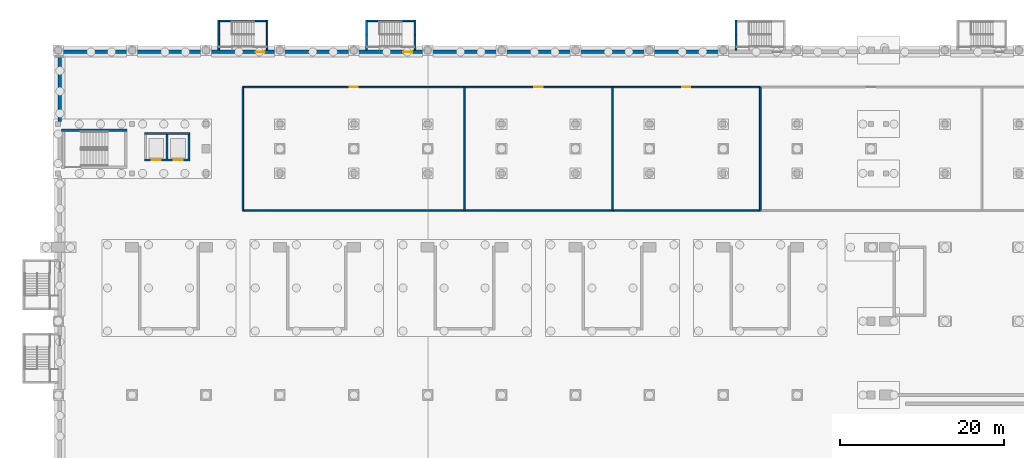
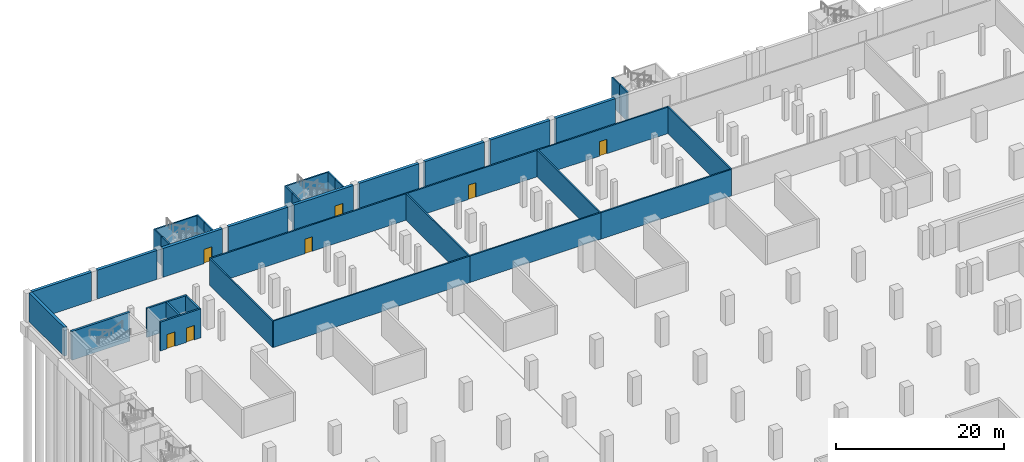
# One storey, part 13 of 29: 37 walls, 7 doors, 7 openings.
"""IFC4 building model written with IfcOpenShell, lengths in metres."""

from ifc_helpers import new_model, si_unit, direction, frame, frame_2d, origin, place, context, subcontext, project, spatial, rectangle, extrude, material, layer, layer_set, type_object, element, fill, save


model = new_model("IFC4")

# Units and contexts
model_context = context("Model", 3, precision=1e-05, world=origin(), true_north=direction((0.0, 1.0)))
body_context = subcontext(model_context, "Body", "Model", "MODEL_VIEW")
ifc_project = project(units=[si_unit("LENGTHUNIT", "METRE"), si_unit("AREAUNIT", "SQUARE_METRE"), si_unit("VOLUMEUNIT", "CUBIC_METRE"), si_unit("PLANEANGLEUNIT", "RADIAN"), si_unit("MASSUNIT", "GRAM", prefix="KILO")], contexts=[model_context])

# Site, building, storey
site_placement = place(None, origin())
site = spatial("IfcSite", under=ifc_project, at=site_placement, CompositionType="ELEMENT")
building_placement = place(site_placement, origin())
building = spatial("IfcBuilding", under=site, at=building_placement, Name="Aravalli Gate Trade Fair Centre", CompositionType="ELEMENT")
storey_placement = place(building_placement, frame((0.0, 0.0, -8.39990234375)))
storey = spatial("IfcBuildingStorey", under=building, at=storey_placement, Name="B2", CompositionType="ELEMENT", Elevation=-8.39990234375)

# Walls
ifc_material_1 = material(Name="Concrete M30", Category="concrete")
ifc_layer_1 = layer(ifc_material_1, 0.199951171875)
ifc_layer_set_1 = layer_set([ifc_layer_1], Name="Concrete M30")
wall_type_1 = type_object("IfcWallType", Name="Basement plant room wall 200", PredefinedType="SOLIDWALL", material=ifc_layer_set_1)
wall_1_placement = place(storey_placement, frame((28.5, 113.5, 0.0), z_axis=(0.0, 0.0, 1.0), x_axis=(1.0, 0.0, 0.0)))
element("IfcWall", 1, at=wall_1_placement, inside=storey, type_object=wall_type_1, Name="Basement plant room wall B2 01.1", PredefinedType="SOLIDWALL", context=body_context, shape_type="SweptSolid", body=[
    extrude(rectangle(XDim=27.0, YDim=0.199951171875, at=frame_2d((13.5, 0.0))), origin(), (0.0, 0.0, 1.0), 3.849853515625),
])
for number, where, z_axis, x_axis, name in (
    (2, (55.5, 113.5, 0.0), (0.0, 0.0, 1.0), (1.0, 0.0, 0.0), "Basement plant room wall B2 02.1"),
    (3, (73.5, 113.5, 0.0), (0.0, 0.0, 1.0), (1.0, 0.0, 0.0), "Basement plant room wall B2 03.1"),
):
    element("IfcWall", number, at=place(storey_placement, frame(where, z_axis=z_axis, x_axis=x_axis)), inside=storey, type_object=wall_type_1, Name=name, PredefinedType="SOLIDWALL", context=body_context, shape_type="SweptSolid", body=[
        extrude(rectangle(XDim=18.0, YDim=0.199951171875, at=frame_2d((9.0, 0.0))), origin(), (0.0, 0.0, 1.0), 3.849853515625),
    ])

# Wall, opening, door
wall_2_placement = place(storey_placement, frame((28.5, 128.5, 0.0), z_axis=(0.0, 0.0, 1.0), x_axis=(1.0, 0.0, 0.0)))
wall_2 = element("IfcWall", 4, at=wall_2_placement, inside=storey, type_object=wall_type_1, Name="Basement plant room wall B2 06.1", PredefinedType="SOLIDWALL", context=body_context, shape_type="SweptSolid", body=[
    extrude(rectangle(XDim=27.0, YDim=0.199951171875, at=frame_2d((13.5, 0.0))), origin(), (0.0, 0.0, 1.0), 3.849853515625),
])
opening_1_placement = place(wall_2_placement, frame((13.0, 0.0, 0.0)))
opening_1 = element("IfcOpeningElement", 5, at=opening_1_placement, cuts=wall_2, Name="Opening B-B2-14", PredefinedType="OPENING", context=body_context, shape_type="SweptSolid", body=[
    extrude(rectangle(XDim=1.0, YDim=2.10009765625, at=frame_2d((0.5, 1.050048828125))), frame((0.0, 0.10986328125, 0.0), z_axis=(0.0, -1.0, 0.0), x_axis=(1.0, 0.0, 0.0)), (0.0, 0.0, 1.0), 0.219970703125),
])
ifc_material_2 = material(Name="Steel", Category="steel")
door_type_1 = type_object("IfcDoorType", Name="Basement plant door 1000x2100", OperationType="SINGLE_SWING_LEFT", PredefinedType="DOOR", material=ifc_material_2)
door_1_placement = place(opening_1_placement, frame((1.0, 0.0, 0.0), z_axis=(0.0, 0.0, 1.0), x_axis=(-1.0, 0.0, 0.0)))
door_1 = element("IfcDoor", 6, at=door_1_placement, inside=storey, type_object=door_type_1, Name="Door fwt B2", OperationType="SINGLE_SWING_LEFT", OverallHeight=2.10009765625, OverallWidth=1.0, PredefinedType="DOOR", context=body_context, shape_type="SweptSolid", body=[
    extrude(rectangle(XDim=1.0, YDim=2.10009765625, at=frame_2d((0.5, 1.050048828125))), frame((0.0, 0.02490234375, 0.0), z_axis=(0.0, -1.0, 0.0), x_axis=(1.0, 0.0, 0.0)), (0.0, 0.0, 1.0), 0.050048828125),
])
fill(opening_1, door_1)

wall_3_placement = place(storey_placement, frame((55.5, 128.5, 0.0), z_axis=(0.0, 0.0, 1.0), x_axis=(1.0, 0.0, 0.0)))
wall_3 = element("IfcWall", 7, at=wall_3_placement, inside=storey, type_object=wall_type_1, Name="Basement plant room wall B2 07.1", PredefinedType="SOLIDWALL", context=body_context, shape_type="SweptSolid", body=[
    extrude(rectangle(XDim=18.0, YDim=0.199951171875, at=frame_2d((9.0, 0.0))), origin(), (0.0, 0.0, 1.0), 3.849853515625),
])
opening_2_placement = place(wall_3_placement, frame((8.5, 0.0, 0.0)))
opening_2 = element("IfcOpeningElement", 8, at=opening_2_placement, cuts=wall_3, Name="Opening B-B2-15", PredefinedType="OPENING", context=body_context, shape_type="SweptSolid", body=[
    extrude(rectangle(XDim=1.0, YDim=2.10009765625, at=frame_2d((0.5, 1.050048828125))), frame((0.0, 0.10986328125, 0.0), z_axis=(0.0, -1.0, 0.0), x_axis=(1.0, 0.0, 0.0)), (0.0, 0.0, 1.0), 0.219970703125),
])
door_2_placement = place(opening_2_placement, frame((1.0, 0.0, 0.0), z_axis=(0.0, 0.0, 1.0), x_axis=(-1.0, 0.0, 0.0)))
door_2 = element("IfcDoor", 9, at=door_2_placement, inside=storey, type_object=door_type_1, Name="Door hv B2", OperationType="SINGLE_SWING_LEFT", OverallHeight=2.10009765625, OverallWidth=1.0, PredefinedType="DOOR", context=body_context, shape_type="SweptSolid", body=[
    extrude(rectangle(XDim=1.0, YDim=2.10009765625, at=frame_2d((0.5, 1.050048828125))), frame((0.0, 0.02490234375, 0.0), z_axis=(0.0, -1.0, 0.0), x_axis=(1.0, 0.0, 0.0)), (0.0, 0.0, 1.0), 0.050048828125),
])
fill(opening_2, door_2)

wall_4_placement = place(storey_placement, frame((73.5, 128.5, 0.0), z_axis=(0.0, 0.0, 1.0), x_axis=(1.0, 0.0, 0.0)))
wall_4 = element("IfcWall", 10, at=wall_4_placement, inside=storey, type_object=wall_type_1, Name="Basement plant room wall B2 08.1", PredefinedType="SOLIDWALL", context=body_context, shape_type="SweptSolid", body=[
    extrude(rectangle(XDim=18.0, YDim=0.199951171875, at=frame_2d((9.0, 0.0))), origin(), (0.0, 0.0, 1.0), 3.849853515625),
])
opening_3_placement = place(wall_4_placement, frame((8.5, 0.0, 0.0)))
opening_3 = element("IfcOpeningElement", 11, at=opening_3_placement, cuts=wall_4, Name="Opening B-B2-16", PredefinedType="OPENING", context=body_context, shape_type="SweptSolid", body=[
    extrude(rectangle(XDim=1.0, YDim=2.10009765625, at=frame_2d((0.5, 1.050048828125))), frame((0.0, 0.10986328125, 0.0), z_axis=(0.0, -1.0, 0.0), x_axis=(1.0, 0.0, 0.0)), (0.0, 0.0, 1.0), 0.219970703125),
])
door_3_placement = place(opening_3_placement, frame((1.0, 0.0, 0.0), z_axis=(0.0, 0.0, 1.0), x_axis=(-1.0, 0.0, 0.0)))
door_3 = element("IfcDoor", 12, at=door_3_placement, inside=storey, type_object=door_type_1, Name="Door gen B2", OperationType="SINGLE_SWING_RIGHT", OverallHeight=2.10009765625, OverallWidth=1.0, PredefinedType="DOOR", context=body_context, shape_type="SweptSolid", body=[
    extrude(rectangle(XDim=1.0, YDim=2.10009765625, at=frame_2d((0.5, 1.050048828125))), frame((0.0, 0.02490234375, 0.0), z_axis=(0.0, -1.0, 0.0), x_axis=(1.0, 0.0, 0.0)), (0.0, 0.0, 1.0), 0.050048828125),
])
fill(opening_3, door_3)

# Walls
for number, where, z_axis, x_axis, name in (
    (13, (28.5, 113.5, 0.0), (0.0, 0.0, 1.0), (0.0, 1.0, 0.0), "Basement plant room wall B2 11.1"),
    (14, (55.5, 113.5, 0.0), (0.0, 0.0, 1.0), (0.0, 1.0, 0.0), "Basement plant room wall B2 12.1"),
    (15, (73.5, 113.5, 0.0), (0.0, 0.0, 1.0), (0.0, 1.0, 0.0), "Basement plant room wall B2 13.1"),
    (16, (91.5, 113.5, 0.0), (0.0, 0.0, 1.0), (0.0, 1.0, 0.0), "Basement plant room wall B2 14.1"),
):
    element("IfcWall", number, at=place(storey_placement, frame(where, z_axis=z_axis, x_axis=x_axis)), inside=storey, type_object=wall_type_1, Name=name, PredefinedType="SOLIDWALL", context=body_context, shape_type="SweptSolid", body=[
        extrude(rectangle(XDim=15.0, YDim=0.199951171875, at=frame_2d((7.5, 0.0))), origin(), (0.0, 0.0, 1.0), 3.849853515625),
    ])
ifc_material_3 = material(Name="Concrete M40", Category="concrete")
ifc_layer_2 = layer(ifc_material_3, 0.39990234375)
ifc_layer_set_2 = layer_set([ifc_layer_2], Name="Concrete M40")
wall_type_2 = type_object("IfcWallType", Name="Basement retaining wall 400", PredefinedType="SOLIDWALL", material=ifc_layer_set_2)
for number, where, z_axis, x_axis, name in (
    (17, (6.39990234375, 132.800048828125, 0.0), (0.0, 0.0, 1.0), (1.0, 0.0, 0.0), "Retaining wall N01 B2"),
    (18, (15.39990234375, 132.800048828125, 0.0), (0.0, 0.0, 1.0), (1.0, 0.0, 0.0), "Retaining wall N02 B2"),
):
    element("IfcWall", number, at=place(storey_placement, frame(where, z_axis=z_axis, x_axis=x_axis)), inside=storey, type_object=wall_type_2, Name=name, PredefinedType="SOLIDWALL", context=body_context, shape_type="SweptSolid", body=[
        extrude(rectangle(XDim=8.2001953125, YDim=0.39990234375, at=frame_2d((4.10009765625, 0.0))), origin(), (0.0, 0.0, 1.0), 4.199951171875),
    ])

# Wall, opening, door
wall_5_placement = place(storey_placement, frame((24.39990234375, 132.800048828125, 0.0), z_axis=(0.0, 0.0, 1.0), x_axis=(1.0, 0.0, 0.0)))
wall_5 = element("IfcWall", 19, at=wall_5_placement, inside=storey, type_object=wall_type_2, Name="Retaining wall N03 B2", PredefinedType="SOLIDWALL", context=body_context, shape_type="SweptSolid", body=[
    extrude(rectangle(XDim=8.2001953125, YDim=0.39990234375, at=frame_2d((4.10009765625, 0.0))), origin(), (0.0, 0.0, 1.0), 4.199951171875),
])
opening_4_placement = place(wall_5_placement, frame((5.64990234375, 0.0, 0.0)))
opening_4 = element("IfcOpeningElement", 20, at=opening_4_placement, cuts=wall_5, Name="Opening B-B2-03", PredefinedType="OPENING", context=body_context, shape_type="SweptSolid", body=[
    extrude(rectangle(XDim=1.10009765625, YDim=2.10009765625, at=frame_2d((0.550048828125, 1.050048828125))), frame((0.0, 0.2099609375, 0.0), z_axis=(0.0, -1.0, 0.0), x_axis=(1.0, 0.0, 0.0)), (0.0, 0.0, 1.0), 0.419921875),
])
door_type_2 = type_object("IfcDoorType", Name="Basement stair door 1100x2100", OperationType="SINGLE_SWING_LEFT", PredefinedType="DOOR", material=ifc_material_2)
door_4_placement = place(opening_4_placement, origin())
door_4 = element("IfcDoor", 21, at=door_4_placement, inside=storey, type_object=door_type_2, Name="Basement stair N1 door B2", OperationType="SINGLE_SWING_RIGHT", OverallHeight=2.10009765625, OverallWidth=1.10009765625, PredefinedType="DOOR", context=body_context, shape_type="SweptSolid", body=[
    extrude(rectangle(XDim=1.10009765625, YDim=2.10009765625, at=frame_2d((0.550048828125, 1.050048828125))), frame((0.0, 0.02490234375, 0.0), z_axis=(0.0, -1.0, 0.0), x_axis=(1.0, 0.0, 0.0)), (0.0, 0.0, 1.0), 0.050048828125),
])
fill(opening_4, door_4)

# Wall
wall_6_placement = place(storey_placement, frame((33.39990234375, 132.800048828125, 0.0), z_axis=(0.0, 0.0, 1.0), x_axis=(1.0, 0.0, 0.0)))
element("IfcWall", 22, at=wall_6_placement, inside=storey, type_object=wall_type_2, Name="Retaining wall N04 B2", PredefinedType="SOLIDWALL", context=body_context, shape_type="SweptSolid", body=[
    extrude(rectangle(XDim=8.2001953125, YDim=0.39990234375, at=frame_2d((4.10009765625, 0.0))), origin(), (0.0, 0.0, 1.0), 4.199951171875),
])

# Wall, opening, door
wall_7_placement = place(storey_placement, frame((42.39990234375, 132.800048828125, 0.0), z_axis=(0.0, 0.0, 1.0), x_axis=(1.0, 0.0, 0.0)))
wall_7 = element("IfcWall", 23, at=wall_7_placement, inside=storey, type_object=wall_type_2, Name="Retaining wall N05 B2", PredefinedType="SOLIDWALL", context=body_context, shape_type="SweptSolid", body=[
    extrude(rectangle(XDim=8.2001953125, YDim=0.39990234375, at=frame_2d((4.10009765625, 0.0))), origin(), (0.0, 0.0, 1.0), 4.199951171875),
])
opening_5_placement = place(wall_7_placement, frame((5.64990234375, 0.0, 0.0)))
opening_5 = element("IfcOpeningElement", 24, at=opening_5_placement, cuts=wall_7, Name="Opening B-B2-04", PredefinedType="OPENING", context=body_context, shape_type="SweptSolid", body=[
    extrude(rectangle(XDim=1.10009765625, YDim=2.10009765625, at=frame_2d((0.550048828125, 1.050048828125))), frame((0.0, 0.2099609375, 0.0), z_axis=(0.0, -1.0, 0.0), x_axis=(1.0, 0.0, 0.0)), (0.0, 0.0, 1.0), 0.419921875),
])
door_5_placement = place(opening_5_placement, origin())
door_5 = element("IfcDoor", 25, at=door_5_placement, inside=storey, type_object=door_type_2, Name="Basement stair N2 door B2", OperationType="SINGLE_SWING_RIGHT", OverallHeight=2.10009765625, OverallWidth=1.10009765625, PredefinedType="DOOR", context=body_context, shape_type="SweptSolid", body=[
    extrude(rectangle(XDim=1.10009765625, YDim=2.10009765625, at=frame_2d((0.550048828125, 1.050048828125))), frame((0.0, 0.02490234375, 0.0), z_axis=(0.0, -1.0, 0.0), x_axis=(1.0, 0.0, 0.0)), (0.0, 0.0, 1.0), 0.050048828125),
])
fill(opening_5, door_5)

# Walls
for number, where, z_axis, x_axis, name in (
    (26, (51.39990234375, 132.800048828125, 0.0), (0.0, 0.0, 1.0), (1.0, 0.0, 0.0), "Retaining wall N06 B2"),
    (27, (60.39990234375, 132.800048828125, 0.0), (0.0, 0.0, 1.0), (1.0, 0.0, 0.0), "Retaining wall N07 B2"),
    (28, (69.39990234375, 132.800048828125, 0.0), (0.0, 0.0, 1.0), (1.0, 0.0, 0.0), "Retaining wall N08 B2"),
    (29, (78.39990234375, 132.800048828125, 0.0), (0.0, 0.0, 1.0), (1.0, 0.0, 0.0), "Retaining wall N09 B2"),
):
    element("IfcWall", number, at=place(storey_placement, frame(where, z_axis=z_axis, x_axis=x_axis)), inside=storey, type_object=wall_type_2, Name=name, PredefinedType="SOLIDWALL", context=body_context, shape_type="SweptSolid", body=[
        extrude(rectangle(XDim=8.2001953125, YDim=0.39990234375, at=frame_2d((4.10009765625, 0.0))), origin(), (0.0, 0.0, 1.0), 4.199951171875),
    ])
wall_8_placement = place(storey_placement, frame((6.199951171875, 124.300048828125, 0.0), z_axis=(0.0, 0.0, 1.0), x_axis=(0.0, 1.0, 0.0)))
element("IfcWall", 30, at=wall_8_placement, inside=storey, type_object=wall_type_2, Name="Retaining wall W10 B2", PredefinedType="SOLIDWALL", context=body_context, shape_type="SweptSolid", body=[
    extrude(rectangle(XDim=8.300048828125, YDim=0.39990234375, at=frame_2d((4.14990234375, 0.0))), origin(), (0.0, 0.0, 1.0), 4.199951171875),
])
ifc_material_4 = material(Name="Concrete M35", Category="concrete")
ifc_layer_3 = layer(ifc_material_4, 0.199951171875)
ifc_layer_set_3 = layer_set([ifc_layer_3], Name="Concrete M35")
wall_type_3 = type_object("IfcWallType", Name="Basement stair enclosure wall 200", PredefinedType="SOLIDWALL", material=ifc_layer_set_3)
wall_9_placement = place(storey_placement, frame((31.449951171875, 133.0, 0.0), z_axis=(0.0, 0.0, 1.0), x_axis=(0.0, 1.0, 0.0)))
element("IfcWall", 31, at=wall_9_placement, inside=storey, type_object=wall_type_3, Name="Basement stair N1 enclosure wall L1 B2", PredefinedType="SOLIDWALL", context=body_context, shape_type="SweptSolid", body=[
    extrude(rectangle(XDim=1.840087890625, YDim=0.199951171875, at=frame_2d((0.919921875, 0.0))), origin(), (0.0, 0.0, 1.0), 4.199951171875),
])
wall_10_placement = place(storey_placement, frame((31.449951171875, 134.840087890625, 0.0), z_axis=(0.0, 0.0, 1.0), x_axis=(0.0, 1.0, 0.0)))
element("IfcWall", 32, at=wall_10_placement, inside=storey, type_object=wall_type_3, Name="Basement stair N1 enclosure wall L2 B2", PredefinedType="SOLIDWALL", context=body_context, shape_type="SweptSolid", body=[
    extrude(rectangle(XDim=1.83984375, YDim=0.199951171875, at=frame_2d((0.919921875, 0.0))), origin(), (0.0, 0.0, 1.0), 4.199951171875),
])
wall_11_placement = place(storey_placement, frame((25.550048828125, 133.0, 0.0), z_axis=(0.0, 0.0, 1.0), x_axis=(0.0, 1.0, 0.0)))
element("IfcWall", 33, at=wall_11_placement, inside=storey, type_object=wall_type_3, Name="Basement stair N1 enclosure wall R1 B2", PredefinedType="SOLIDWALL", context=body_context, shape_type="SweptSolid", body=[
    extrude(rectangle(XDim=1.840087890625, YDim=0.199951171875, at=frame_2d((0.919921875, 0.0))), origin(), (0.0, 0.0, 1.0), 4.199951171875),
])
wall_12_placement = place(storey_placement, frame((25.550048828125, 134.840087890625, 0.0), z_axis=(0.0, 0.0, 1.0), x_axis=(0.0, 1.0, 0.0)))
element("IfcWall", 34, at=wall_12_placement, inside=storey, type_object=wall_type_3, Name="Basement stair N1 enclosure wall R2 B2", PredefinedType="SOLIDWALL", context=body_context, shape_type="SweptSolid", body=[
    extrude(rectangle(XDim=1.83984375, YDim=0.199951171875, at=frame_2d((0.919921875, 0.0))), origin(), (0.0, 0.0, 1.0), 4.199951171875),
])
wall_13_placement = place(storey_placement, frame((31.35009765625, 136.580078125, 0.0), z_axis=(0.0, 0.0, 1.0), x_axis=(-1.0, 0.0, 0.0)))
element("IfcWall", 35, at=wall_13_placement, inside=storey, type_object=wall_type_3, Name="Basement stair N1 enclosure wall O B2", PredefinedType="SOLIDWALL", context=body_context, shape_type="SweptSolid", body=[
    extrude(rectangle(XDim=5.7001953125, YDim=0.199951171875, at=frame_2d((2.85009765625, 0.0))), origin(), (0.0, 0.0, 1.0), 4.199951171875),
])
wall_14_placement = place(storey_placement, frame((49.449951171875, 133.0, 0.0), z_axis=(0.0, 0.0, 1.0), x_axis=(0.0, 1.0, 0.0)))
element("IfcWall", 36, at=wall_14_placement, inside=storey, type_object=wall_type_3, Name="Basement stair N2 enclosure wall L1 B2", PredefinedType="SOLIDWALL", context=body_context, shape_type="SweptSolid", body=[
    extrude(rectangle(XDim=1.840087890625, YDim=0.199951171875, at=frame_2d((0.919921875, 0.0))), origin(), (0.0, 0.0, 1.0), 4.199951171875),
])
wall_15_placement = place(storey_placement, frame((49.449951171875, 134.840087890625, 0.0), z_axis=(0.0, 0.0, 1.0), x_axis=(0.0, 1.0, 0.0)))
element("IfcWall", 37, at=wall_15_placement, inside=storey, type_object=wall_type_3, Name="Basement stair N2 enclosure wall L2 B2", PredefinedType="SOLIDWALL", context=body_context, shape_type="SweptSolid", body=[
    extrude(rectangle(XDim=1.83984375, YDim=0.199951171875, at=frame_2d((0.919921875, 0.0))), origin(), (0.0, 0.0, 1.0), 4.199951171875),
])
wall_16_placement = place(storey_placement, frame((43.550048828125, 133.0, 0.0), z_axis=(0.0, 0.0, 1.0), x_axis=(0.0, 1.0, 0.0)))
element("IfcWall", 38, at=wall_16_placement, inside=storey, type_object=wall_type_3, Name="Basement stair N2 enclosure wall R1 B2", PredefinedType="SOLIDWALL", context=body_context, shape_type="SweptSolid", body=[
    extrude(rectangle(XDim=1.840087890625, YDim=0.199951171875, at=frame_2d((0.919921875, 0.0))), origin(), (0.0, 0.0, 1.0), 4.199951171875),
])
wall_17_placement = place(storey_placement, frame((43.550048828125, 134.840087890625, 0.0), z_axis=(0.0, 0.0, 1.0), x_axis=(0.0, 1.0, 0.0)))
element("IfcWall", 39, at=wall_17_placement, inside=storey, type_object=wall_type_3, Name="Basement stair N2 enclosure wall R2 B2", PredefinedType="SOLIDWALL", context=body_context, shape_type="SweptSolid", body=[
    extrude(rectangle(XDim=1.83984375, YDim=0.199951171875, at=frame_2d((0.919921875, 0.0))), origin(), (0.0, 0.0, 1.0), 4.199951171875),
])
wall_18_placement = place(storey_placement, frame((49.35009765625, 136.580078125, 0.0), z_axis=(0.0, 0.0, 1.0), x_axis=(-1.0, 0.0, 0.0)))
element("IfcWall", 40, at=wall_18_placement, inside=storey, type_object=wall_type_3, Name="Basement stair N2 enclosure wall O B2", PredefinedType="SOLIDWALL", context=body_context, shape_type="SweptSolid", body=[
    extrude(rectangle(XDim=5.7001953125, YDim=0.199951171875, at=frame_2d((2.85009765625, 0.0))), origin(), (0.0, 0.0, 1.0), 4.199951171875),
])
wall_19_placement = place(storey_placement, frame((88.550048828125, 133.0, 0.0), z_axis=(0.0, 0.0, 1.0), x_axis=(0.0, 1.0, 0.0)))
element("IfcWall", 41, at=wall_19_placement, inside=storey, type_object=wall_type_3, Name="Basement stair N3 enclosure wall R1 B2", PredefinedType="SOLIDWALL", context=body_context, shape_type="SweptSolid", body=[
    extrude(rectangle(XDim=1.840087890625, YDim=0.199951171875, at=frame_2d((0.919921875, 0.0))), origin(), (0.0, 0.0, 1.0), 4.199951171875),
])
wall_20_placement = place(storey_placement, frame((88.550048828125, 134.840087890625, 0.0), z_axis=(0.0, 0.0, 1.0), x_axis=(0.0, 1.0, 0.0)))
element("IfcWall", 42, at=wall_20_placement, inside=storey, type_object=wall_type_3, Name="Basement stair N3 enclosure wall R2 B2", PredefinedType="SOLIDWALL", context=body_context, shape_type="SweptSolid", body=[
    extrude(rectangle(XDim=1.83984375, YDim=0.199951171875, at=frame_2d((0.919921875, 0.0))), origin(), (0.0, 0.0, 1.0), 4.199951171875),
])

# Wall, openings, doors
ifc_layer_4 = layer(ifc_material_3, 0.25)
ifc_layer_set_4 = layer_set([ifc_layer_4], Name="Concrete M40")
wall_type_4 = type_object("IfcWallType", Name="RC core wall 250", PredefinedType="SHEAR", material=ifc_layer_set_4)
wall_21_placement = place(storey_placement, frame((16.5, 119.625, 0.0), z_axis=(0.0, 0.0, 1.0), x_axis=(1.0, 0.0, 0.0)))
wall_21 = element("IfcWall", 43, at=wall_21_placement, inside=storey, type_object=wall_type_4, Name="Core wall WLS B2", PredefinedType="SHEAR", context=body_context, shape_type="SweptSolid", body=[
    extrude(rectangle(XDim=5.550048828125, YDim=0.25, at=frame_2d((2.77490234375, 0.0))), origin(), (0.0, 0.0, 1.0), 4.199951171875),
])
opening_6_placement = place(wall_21_placement, frame((0.89990234375, 0.0, 0.0)))
opening_6 = element("IfcOpeningElement", 44, at=opening_6_placement, cuts=wall_21, Name="Opening C-B2-02", PredefinedType="OPENING", context=body_context, shape_type="SweptSolid", body=[
    extrude(rectangle(XDim=1.10009765625, YDim=2.10009765625, at=frame_2d((0.550048828125, 1.050048828125))), frame((0.0, 0.135009765625, 0.0), z_axis=(0.0, -1.0, 0.0), x_axis=(1.0, 0.0, 0.0)), (0.0, 0.0, 1.0), 0.27001953125),
])
opening_7_placement = place(wall_21_placement, frame((3.550048828125, 0.0, 0.0)))
opening_7 = element("IfcOpeningElement", 45, at=opening_7_placement, cuts=wall_21, Name="Opening C-B2-03", PredefinedType="OPENING", context=body_context, shape_type="SweptSolid", body=[
    extrude(rectangle(XDim=1.10009765625, YDim=2.10009765625, at=frame_2d((0.550048828125, 1.050048828125))), frame((0.0, 0.135009765625, 0.0), z_axis=(0.0, -1.0, 0.0), x_axis=(1.0, 0.0, 0.0)), (0.0, 0.0, 1.0), 0.27001953125),
])
ifc_material_5 = material(Name="Steel, fire rated", Category="steel")
door_type_3 = type_object("IfcDoorType", Name="Concourse lift landing door 1100 x 2100", OperationType="DOUBLE_DOOR_SLIDING", PredefinedType="NOTDEFINED", material=ifc_material_5)
door_6_placement = place(opening_6_placement, origin())
door_6 = element("IfcDoor", 46, at=door_6_placement, inside=storey, type_object=door_type_3, Name="Lift landing door WL1 B2", OperationType="DOUBLE_DOOR_SLIDING", OverallHeight=2.10009765625, OverallWidth=1.10009765625, PredefinedType="NOTDEFINED", context=body_context, shape_type="SweptSolid", body=[
    extrude(rectangle(XDim=1.10009765625, YDim=2.10009765625, at=frame_2d((0.550048828125, 1.050048828125))), frame((0.0, 0.02490234375, 0.0), z_axis=(0.0, -1.0, 0.0), x_axis=(1.0, 0.0, 0.0)), (0.0, 0.0, 1.0), 0.050048828125),
])
fill(opening_6, door_6)
door_7_placement = place(opening_7_placement, origin())
door_7 = element("IfcDoor", 47, at=door_7_placement, inside=storey, type_object=door_type_3, Name="Lift landing door WL2 B2", OperationType="DOUBLE_DOOR_SLIDING", OverallHeight=2.10009765625, OverallWidth=1.10009765625, PredefinedType="NOTDEFINED", context=body_context, shape_type="SweptSolid", body=[
    extrude(rectangle(XDim=1.10009765625, YDim=2.10009765625, at=frame_2d((0.550048828125, 1.050048828125))), frame((0.0, 0.02490234375, 0.0), z_axis=(0.0, -1.0, 0.0), x_axis=(1.0, 0.0, 0.0)), (0.0, 0.0, 1.0), 0.050048828125),
])
fill(opening_7, door_7)

# Walls
wall_22_placement = place(storey_placement, frame((16.5, 122.875, 0.0), z_axis=(0.0, 0.0, 1.0), x_axis=(1.0, 0.0, 0.0)))
element("IfcWall", 48, at=wall_22_placement, inside=storey, type_object=wall_type_4, Name="Core wall WLN B2", PredefinedType="SHEAR", context=body_context, shape_type="SweptSolid", body=[
    extrude(rectangle(XDim=5.550048828125, YDim=0.25, at=frame_2d((2.77490234375, 0.0))), origin(), (0.0, 0.0, 1.0), 4.199951171875),
])
for number, where, z_axis, x_axis, name in (
    (49, (21.925048828125, 119.75, 0.0), (0.0, 0.0, 1.0), (0.0, 1.0, 0.0), "Core wall WLE B2"),
    (50, (19.27490234375, 119.75, 0.0), (0.0, 0.0, 1.0), (0.0, 1.0, 0.0), "Core wall WLM B2"),
):
    element("IfcWall", number, at=place(storey_placement, frame(where, z_axis=z_axis, x_axis=x_axis)), inside=storey, type_object=wall_type_4, Name=name, PredefinedType="SHEAR", context=body_context, shape_type="SweptSolid", body=[
        extrude(rectangle(XDim=3.0, YDim=0.25, at=frame_2d((1.5, 0.0))), origin(), (0.0, 0.0, 1.0), 4.199951171875),
    ])
ifc_layer_5 = layer(ifc_material_3, 0.300048828125)
ifc_layer_set_5 = layer_set([ifc_layer_5], Name="Concrete M40")
wall_type_5 = type_object("IfcWallType", Name="RC core wall 300", PredefinedType="SHEAR", material=ifc_layer_set_5)
wall_23_placement = place(storey_placement, frame((6.39990234375, 123.25, 0.0), z_axis=(0.0, 0.0, 1.0), x_axis=(1.0, 0.0, 0.0)))
element("IfcWall", 51, at=wall_23_placement, inside=storey, type_object=wall_type_5, Name="Core wall WSN B2", PredefinedType="SHEAR", context=body_context, shape_type="SweptSolid", body=[
    extrude(rectangle(XDim=8.0, YDim=0.300048828125, at=frame_2d((4.0, 0.0))), origin(), (0.0, 0.0, 1.0), 4.199951171875),
])

save(model, "model.ifc")
